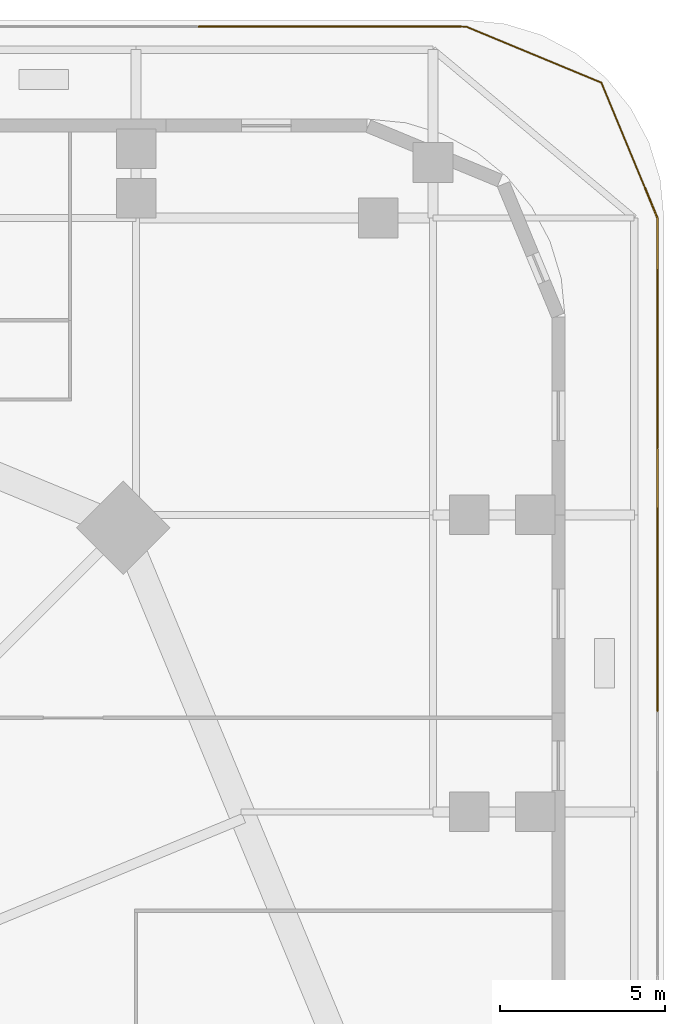
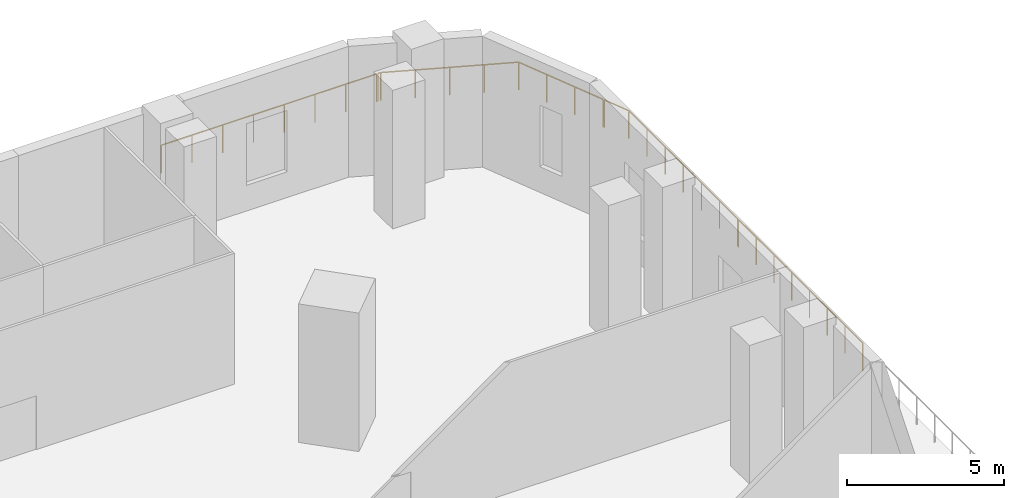
# One storey, part 18 of 19: 4 railings.
"""IFC4 building model written with IfcOpenShell, lengths in metres."""

from ifc_helpers import new_model, si_unit, direction, frame, origin, origin_2d, place, context, subcontext, project, spatial, circle, extrude, material, type_object, element, save


model = new_model("IFC4")

# Units and contexts
model_context = context("Model", 3, precision=1e-05, world=origin(), true_north=direction((0.0, 1.0)))
body_context = subcontext(model_context, "Body", "Model", "MODEL_VIEW")
ifc_project = project(units=[si_unit("LENGTHUNIT", "METRE"), si_unit("AREAUNIT", "SQUARE_METRE"), si_unit("VOLUMEUNIT", "CUBIC_METRE"), si_unit("PLANEANGLEUNIT", "RADIAN"), si_unit("MASSUNIT", "GRAM", prefix="KILO")], contexts=[model_context])

# Site, building, storey
site_placement = place(None, origin())
site = spatial("IfcSite", under=ifc_project, at=site_placement, CompositionType="ELEMENT")
building_placement = place(site_placement, origin())
building = spatial("IfcBuilding", under=site, at=building_placement, Name="Ogive Gate Towers", CompositionType="ELEMENT")
storey_placement = place(building_placement, frame((0.0, 0.0, 12.60009765625)))
storey = spatial("IfcBuildingStorey", under=building, at=storey_placement, Name="L02", CompositionType="ELEMENT", Elevation=12.60009765625)

# Railings
ifc_material = material(Name="Stainless steel", Category="steel")
railing_type = type_object("IfcRailingType", Name="Guard 1100", PredefinedType="GUARDRAIL", material=ifc_material)
railing_1_placement = place(storey_placement, frame((69.800048828125, 12.063232421875, 0.0)))
element("IfcRailing", 1, at=railing_1_placement, inside=storey, type_object=railing_type, Name="Terrace guard", PredefinedType="GUARDRAIL", context=body_context, shape_type="SweptSolid", body=[
    extrude(circle(Radius=0.02392578125, at=origin_2d()), frame((0.0, 0.0, 1.076171875), z_axis=(0.0, 1.0, 0.0), x_axis=(-1.0, 0.0, 0.0)), (0.0, 0.0, 1.0), 7.9404296875),
    extrude(circle(Radius=0.02099609375, at=origin_2d()), origin(), (0.0, 0.0, 1.0), 1.052001953125),
    extrude(circle(Radius=0.02099609375, at=origin_2d()), frame((0.0, 1.13427734375, 0.0)), (0.0, 0.0, 1.0), 1.052001953125),
    extrude(circle(Radius=0.02099609375, at=origin_2d()), frame((0.0, 2.268798828125, 0.0)), (0.0, 0.0, 1.0), 1.052001953125),
    extrude(circle(Radius=0.02099609375, at=origin_2d()), frame((0.0, 3.403076171875, 0.0)), (0.0, 0.0, 1.0), 1.052001953125),
    extrude(circle(Radius=0.02099609375, at=origin_2d()), frame((0.0, 4.537353515625, 0.0)), (0.0, 0.0, 1.0), 1.052001953125),
    extrude(circle(Radius=0.02099609375, at=origin_2d()), frame((0.0, 5.671630859375, 0.0)), (0.0, 0.0, 1.0), 1.052001953125),
    extrude(circle(Radius=0.02099609375, at=origin_2d()), frame((0.0, 6.80615234375, 0.0)), (0.0, 0.0, 1.0), 1.052001953125),
    extrude(circle(Radius=0.02099609375, at=origin_2d()), frame((0.0, 7.9404296875, 0.0)), (0.0, 0.0, 1.0), 1.052001953125),
])
railing_2_placement = place(storey_placement, frame((69.800048828125, 20.0537109375, 0.0)))
element("IfcRailing", 2, at=railing_2_placement, inside=storey, type_object=railing_type, Name="Terrace guard", PredefinedType="GUARDRAIL", context=body_context, shape_type="SweptSolid", body=[
    extrude(circle(Radius=0.02392578125, at=origin_2d()), frame((0.0, 0.0, 1.076171875), z_axis=(0.0, 1.0, 0.0), x_axis=(-1.0, 0.0, 0.0)), (0.0, 0.0, 1.0), 6.9462890625),
    extrude(circle(Radius=0.02392578125, at=origin_2d()), frame((0.0, 6.9462890625, 1.076171875), z_axis=(-0.382713371385, 0.923867130795, 0.0), x_axis=(-0.923867130795, -0.382713371385, 0.0)), (0.0, 0.0, 1.0), 0.993896484375),
    extrude(circle(Radius=0.02099609375, at=origin_2d()), origin(), (0.0, 0.0, 1.0), 1.052001953125),
    extrude(circle(Radius=0.02099609375, at=origin_2d()), frame((0.0, 1.15771484375, 0.0)), (0.0, 0.0, 1.0), 1.052001953125),
    extrude(circle(Radius=0.02099609375, at=origin_2d()), frame((0.0, 2.3154296875, 0.0)), (0.0, 0.0, 1.0), 1.052001953125),
    extrude(circle(Radius=0.02099609375, at=origin_2d()), frame((0.0, 3.47314453125, 0.0)), (0.0, 0.0, 1.0), 1.052001953125),
    extrude(circle(Radius=0.02099609375, at=origin_2d()), frame((0.0, 4.630859375, 0.0)), (0.0, 0.0, 1.0), 1.052001953125),
    extrude(circle(Radius=0.02099609375, at=origin_2d()), frame((0.0, 5.78857421875, 0.0)), (0.0, 0.0, 1.0), 1.052001953125),
    extrude(circle(Radius=0.02099609375, at=origin_2d()), frame((0.0, 6.9462890625, 0.0)), (0.0, 0.0, 1.0), 1.052001953125),
    extrude(circle(Radius=0.02099609375, at=origin_2d()), frame((-0.38037109375, 7.864501953125, 0.0)), (0.0, 0.0, 1.0), 1.052001953125),
])
railing_3_placement = place(storey_placement, frame((69.400390625, 27.96435546875, 0.0)))
element("IfcRailing", 3, at=railing_3_placement, inside=storey, type_object=railing_type, Name="Terrace guard", PredefinedType="GUARDRAIL", context=body_context, shape_type="SweptSolid", body=[
    extrude(circle(Radius=0.02392578125, at=origin_2d()), frame((0.0, 0.0, 1.076171875), z_axis=(-0.382607935992, 0.923910800519, 0.0), x_axis=(-0.923910800519, -0.382607935992, 0.0)), (0.0, 0.0, 1.0), 3.395263671875),
    extrude(circle(Radius=0.02392578125, at=origin_2d()), frame((-1.299072265625, 3.136962890625, 1.076171875), z_axis=(-0.923886797369, 0.382665892976, 0.0), x_axis=(-0.382665892976, -0.923886797369, 0.0)), (0.0, 0.0, 1.0), 4.439208984375),
    extrude(circle(Radius=0.02392578125, at=origin_2d()), frame((-5.400390625, 4.835693359375, 1.076171875), z_axis=(-1.0, 0.0, 0.0), x_axis=(0.0, -1.0, 0.0)), (0.0, 0.0, 1.0), 0.10595703125),
    extrude(circle(Radius=0.02099609375, at=origin_2d()), origin(), (0.0, 0.0, 1.0), 1.052001953125),
    extrude(circle(Radius=0.02099609375, at=origin_2d()), frame((-0.43310546875, 1.045654296875, 0.0)), (0.0, 0.0, 1.0), 1.052001953125),
    extrude(circle(Radius=0.02099609375, at=origin_2d()), frame((-0.865966796875, 2.09130859375, 0.0)), (0.0, 0.0, 1.0), 1.052001953125),
    extrude(circle(Radius=0.02099609375, at=origin_2d()), frame((-1.299072265625, 3.136962890625, 0.0)), (0.0, 0.0, 1.0), 1.052001953125),
    extrude(circle(Radius=0.02099609375, at=origin_2d()), frame((-2.324462890625, 3.5615234375, 0.0)), (0.0, 0.0, 1.0), 1.052001953125),
    extrude(circle(Radius=0.02099609375, at=origin_2d()), frame((-3.349609375, 3.986328125, 0.0)), (0.0, 0.0, 1.0), 1.052001953125),
    extrude(circle(Radius=0.02099609375, at=origin_2d()), frame((-4.375, 4.4111328125, 0.0)), (0.0, 0.0, 1.0), 1.052001953125),
    extrude(circle(Radius=0.02099609375, at=origin_2d()), frame((-5.400390625, 4.835693359375, 0.0)), (0.0, 0.0, 1.0), 1.052001953125),
    extrude(circle(Radius=0.02099609375, at=origin_2d()), frame((-5.50634765625, 4.835693359375, 0.0)), (0.0, 0.0, 1.0), 1.052001953125),
])
railing_4_placement = place(storey_placement, frame((63.843994140625, 32.800048828125, 0.0)))
element("IfcRailing", 4, at=railing_4_placement, inside=storey, type_object=railing_type, Name="Terrace guard", PredefinedType="GUARDRAIL", context=body_context, shape_type="SweptSolid", body=[
    extrude(circle(Radius=0.02392578125, at=origin_2d()), frame((0.0, 0.0, 1.076171875), z_axis=(-1.0, 0.0, 0.0), x_axis=(0.0, -1.0, 0.0)), (0.0, 0.0, 1.0), 7.940185546875),
    extrude(circle(Radius=0.02099609375, at=origin_2d()), origin(), (0.0, 0.0, 1.0), 1.052001953125),
    extrude(circle(Radius=0.02099609375, at=origin_2d()), frame((-1.13427734375, 0.0, 0.0)), (0.0, 0.0, 1.0), 1.052001953125),
    extrude(circle(Radius=0.02099609375, at=origin_2d()), frame((-2.2685546875, 0.0, 0.0)), (0.0, 0.0, 1.0), 1.052001953125),
    extrude(circle(Radius=0.02099609375, at=origin_2d()), frame((-3.40283203125, 0.0, 0.0)), (0.0, 0.0, 1.0), 1.052001953125),
    extrude(circle(Radius=0.02099609375, at=origin_2d()), frame((-4.537353515625, 0.0, 0.0)), (0.0, 0.0, 1.0), 1.052001953125),
    extrude(circle(Radius=0.02099609375, at=origin_2d()), frame((-5.671630859375, 0.0, 0.0)), (0.0, 0.0, 1.0), 1.052001953125),
    extrude(circle(Radius=0.02099609375, at=origin_2d()), frame((-6.805908203125, 0.0, 0.0)), (0.0, 0.0, 1.0), 1.052001953125),
    extrude(circle(Radius=0.02099609375, at=origin_2d()), frame((-7.940185546875, 0.0, 0.0)), (0.0, 0.0, 1.0), 1.052001953125),
])

save(model, "model.ifc")
